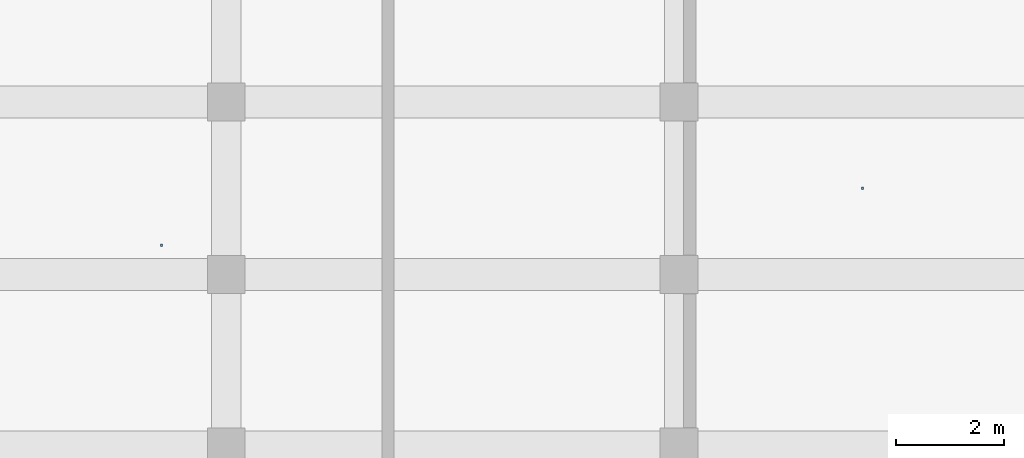
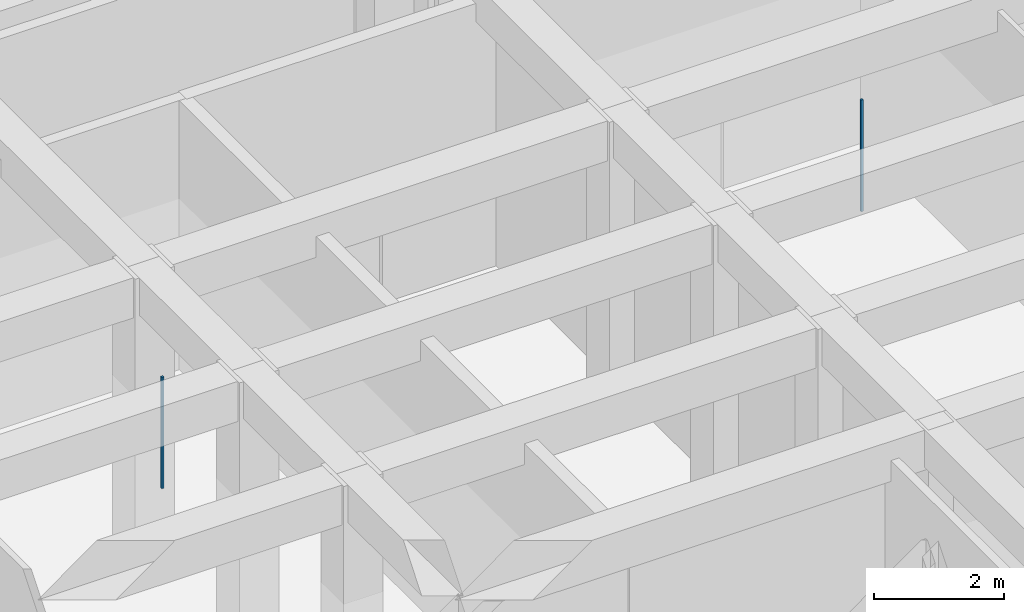
# One storey, part 105 of 167: 2 discrete accessories.
"""IFC4 building model written with IfcOpenShell, lengths in metres."""

from ifc_helpers import new_model, si_unit, direction, frame, origin, origin_2d, place, context, subcontext, project, spatial, rectangle, extrude, material, type_object, element, save


model = new_model("IFC4")

# Units and contexts
model_context = context("Model", 3, precision=1e-05, world=origin(), true_north=direction((0.0, 1.0)))
body_context = subcontext(model_context, "Body", "Model", "MODEL_VIEW")
ifc_project = project(units=[si_unit("LENGTHUNIT", "METRE"), si_unit("AREAUNIT", "SQUARE_METRE"), si_unit("VOLUMEUNIT", "CUBIC_METRE"), si_unit("PLANEANGLEUNIT", "RADIAN"), si_unit("MASSUNIT", "GRAM", prefix="KILO")], contexts=[model_context])

# Site, building, storey
site_placement = place(None, origin())
site = spatial("IfcSite", under=ifc_project, at=site_placement, CompositionType="ELEMENT")
building_placement = place(site_placement, origin())
building = spatial("IfcBuilding", under=site, at=building_placement, Name="Varncliffe General Hospital", CompositionType="ELEMENT")
storey_placement = place(building_placement, origin())
storey = spatial("IfcBuildingStorey", under=building, at=storey_placement, Name="L00", CompositionType="ELEMENT", Elevation=0.0)

# Discrete accessories
ifc_material = material(Name="Powder-coated hospital steel guardrail and handrail", Category="steel")
discrete_accessory_type = type_object("IfcDiscreteAccessoryType", Name="Suspended Ceiling Hanger Bracket CH01", PredefinedType="BRACKET", material=ifc_material)
for number, where, z_axis, x_axis, name in (
    (1, (32.39990234375, 106.54248046875, 3.18994140625), (0.0, 0.0, 1.0), (1.0, 0.0, 0.0), "L00 Suspended Ceiling Hanger 87"),
    (2, (45.39990234375, 107.60009765625, 3.18994140625), (0.0, 0.0, 1.0), (1.0, 0.0, 0.0), "L00 Suspended Ceiling Hanger 88"),
):
    element("IfcDiscreteAccessory", number, at=place(storey_placement, frame(where, z_axis=z_axis, x_axis=x_axis)), inside=storey, type_object=discrete_accessory_type, Name=name, PredefinedType="BRACKET", context=body_context, shape_type="SweptSolid", body=[
        extrude(rectangle(XDim=0.0400390625, YDim=0.0400390625, at=origin_2d()), origin(), (0.0, 0.0, 1.0), 2.090087890625),
    ])

save(model, "model.ifc")
